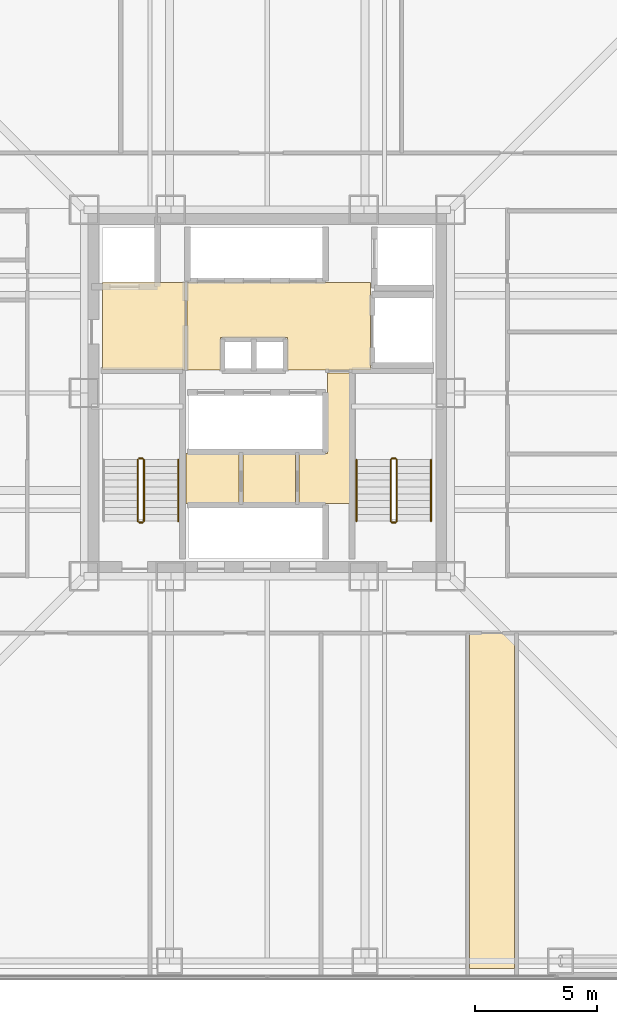
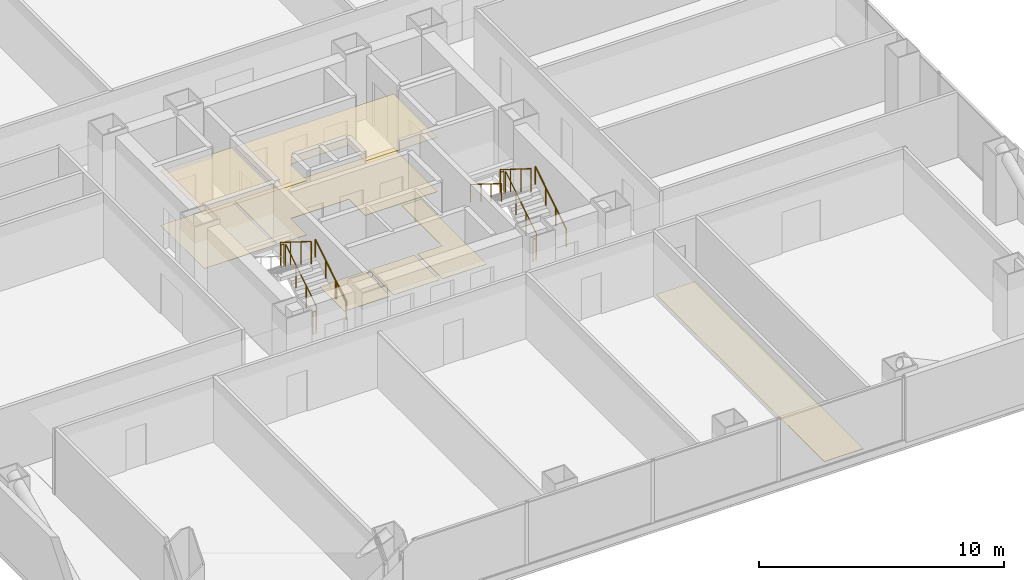
# One storey, part 14 of 15: 11 railings, 8 coverings.
"""IFC4 building model written with IfcOpenShell, lengths in metres."""

from ifc_helpers import new_model, si_unit, direction, frame, origin, origin_2d, place, context, subcontext, project, spatial, polyline, circle, outline, extrude, material, layer, layer_set, type_object, element, save


model = new_model("IFC4")

# Units and contexts
model_context = context("Model", 3, precision=1e-05, world=origin(), true_north=direction((0.0, 1.0)))
body_context = subcontext(model_context, "Body", "Model", "MODEL_VIEW")
ifc_project = project(units=[si_unit("LENGTHUNIT", "METRE"), si_unit("AREAUNIT", "SQUARE_METRE"), si_unit("VOLUMEUNIT", "CUBIC_METRE"), si_unit("PLANEANGLEUNIT", "RADIAN"), si_unit("MASSUNIT", "GRAM", prefix="KILO")], contexts=[model_context])

# Site, building, storey
site_placement = place(None, origin())
site = spatial("IfcSite", under=ifc_project, at=site_placement, CompositionType="ELEMENT")
building_placement = place(site_placement, origin())
building = spatial("IfcBuilding", under=site, at=building_placement, Name="Trevonay Congress Spire", CompositionType="ELEMENT")
storey_placement = place(building_placement, frame((0.0, 0.0, 44.5)))
storey = spatial("IfcBuildingStorey", under=building, at=storey_placement, Name="L10", CompositionType="ELEMENT", Elevation=44.5)

# Coverings
ifc_material_1 = material(Name="Acoustic Mineral Fibre Board", Category="gypsum")
ifc_layer_1 = layer(ifc_material_1, 0.02490234375, Name="Acoustic Mineral Fibre Board")
ifc_layer_set_1 = layer_set([ifc_layer_1], Name="Acoustic Mineral Fibre Board")
covering_type_1 = type_object("IfcCoveringType", Name="COV-CEIL-ACOUSTIC", PredefinedType="CEILING", material=ifc_layer_set_1)
covering_1_placement = place(storey_placement, frame((0.0, 0.0, 2.699951171875)))
element("IfcCovering", 1, at=covering_1_placement, inside=storey, type_object=covering_type_1, Name="L10 Firefighting Lift Lobby West acoustic suspended ceiling", PredefinedType="CEILING", context=body_context, shape_type="SweptSolid", body=[
    extrude(outline(polyline([(-6.75, 0.9599609375), (-3.3798828125, 0.9599609375), (-3.3798828125, 4.52001953125), (-6.75, 4.52001953125), (-6.75, 0.9599609375)])), origin(), (0.0, 0.0, 1.0), 0.025146484375),
])
covering_2_placement = place(storey_placement, frame((0.0, 0.0, 2.699951171875)))
element("IfcCovering", 2, at=covering_2_placement, inside=storey, type_object=covering_type_1, Name="L10 Central and High-Rise Passenger Lift Lobby acoustic suspended ceiling", PredefinedType="CEILING", context=body_context, shape_type="SweptSolid", body=[
    extrude(outline(polyline([(-3.280029296875, 0.949951171875), (-1.919921875, 0.949951171875), (-1.919921875, 2.280029296875), (0.820068359375, 2.280029296875), (0.820068359375, 0.949951171875), (4.219970703125, 0.949951171875), (4.219970703125, 4.52001953125), (-3.280029296875, 4.52001953125), (-3.280029296875, 0.949951171875)])), origin(), (0.0, 0.0, 1.0), 0.025146484375),
])
ifc_material_2 = material(Name="Polished Granite Floor Tile", Category="masonry")
ifc_layer_2 = layer(ifc_material_2, 0.02001953125, Name="Polished Granite Floor Tile")
ifc_layer_set_2 = layer_set([ifc_layer_2], Name="Polished Granite Floor Tile")
covering_type_2 = type_object("IfcCoveringType", Name="COV-FLOOR-STONE", PredefinedType="FLOORING", material=ifc_layer_set_2)
covering_3_placement = place(storey_placement, origin())
element("IfcCovering", 3, at=covering_3_placement, inside=storey, type_object=covering_type_2, Name="L10 Firefighting Lift Lobby West floor finish", PredefinedType="FLOORING", context=body_context, shape_type="SweptSolid", body=[
    extrude(outline(polyline([(-6.75, 0.9599609375), (-3.3798828125, 0.9599609375), (-3.3798828125, 4.52001953125), (-6.75, 4.52001953125), (-6.75, 0.9599609375)])), origin(), (0.0, 0.0, 1.0), 0.02001953125),
])
covering_4_placement = place(storey_placement, origin())
element("IfcCovering", 4, at=covering_4_placement, inside=storey, type_object=covering_type_2, Name="L10 Central and High-Rise Passenger Lift Lobby floor finish", PredefinedType="FLOORING", context=body_context, shape_type="SweptSolid", body=[
    extrude(outline(polyline([(-3.280029296875, 0.949951171875), (-1.919921875, 0.949951171875), (-1.919921875, 2.280029296875), (0.820068359375, 2.280029296875), (0.820068359375, 0.949951171875), (4.219970703125, 0.949951171875), (4.219970703125, 4.52001953125), (-3.280029296875, 4.52001953125), (-3.280029296875, 0.949951171875)])), origin(), (0.0, 0.0, 1.0), 0.02001953125),
])
covering_5_placement = place(storey_placement, origin())
element("IfcCovering", 5, at=covering_5_placement, inside=storey, type_object=covering_type_2, Name="L10 Floor IT Patch Room floor finish", PredefinedType="FLOORING", context=body_context, shape_type="SweptSolid", body=[
    extrude(outline(polyline([(-3.320068359375, -4.52001953125), (-1.14990234375, -4.52001953125), (-1.14990234375, -2.47998046875), (-3.320068359375, -2.47998046875), (-3.320068359375, -4.52001953125)])), origin(), (0.0, 0.0, 1.0), 0.02001953125),
])
covering_6_placement = place(storey_placement, origin())
element("IfcCovering", 6, at=covering_6_placement, inside=storey, type_object=covering_type_2, Name="L10 Janitor Store floor finish", PredefinedType="FLOORING", context=body_context, shape_type="SweptSolid", body=[
    extrude(outline(polyline([(-1.0, -4.52001953125), (1.14990234375, -4.52001953125), (1.14990234375, -2.47998046875), (-1.0, -2.47998046875), (-1.0, -4.52001953125)])), origin(), (0.0, 0.0, 1.0), 0.02001953125),
])
covering_7_placement = place(storey_placement, origin())
element("IfcCovering", 7, at=covering_7_placement, inside=storey, type_object=covering_type_2, Name="L10 Core Metering Room floor finish", PredefinedType="FLOORING", context=body_context, shape_type="SweptSolid", body=[
    extrude(outline(polyline([(1.300048828125, -4.52001953125), (3.3798828125, -4.52001953125), (3.3798828125, 0.820068359375), (2.4599609375, 0.820068359375), (2.4599609375, -2.47998046875), (1.300048828125, -2.47998046875), (1.300048828125, -4.52001953125)])), origin(), (0.0, 0.0, 1.0), 0.02001953125),
])
covering_8_placement = place(storey_placement, origin())
element("IfcCovering", 8, at=covering_8_placement, inside=storey, type_object=covering_type_2, Name="L10 Accessible WC floor finish", PredefinedType="FLOORING", context=body_context, shape_type="SweptSolid", body=[
    extrude(outline(polyline([(8.280029296875, -23.550048828125), (10.1201171875, -23.550048828125), (10.1201171875, -9.830078125), (8.280029296875, -9.830078125), (8.280029296875, -23.550048828125)])), origin(), (0.0, 0.0, 1.0), 0.02001953125),
])

# Railings
ifc_material_3 = material(Name="Pale Anodised Aluminium EN AW-6063-T6", Category="aluminium")
railing_type_1 = type_object("IfcRailingType", Name="RAL-STAIR-GUARD-110", PredefinedType="GUARDRAIL", material=ifc_material_3)
railing_1_placement = place(storey_placement, frame((-5.050048828125, -5.25, 0.175048828125)))
element("IfcRailing", 9, at=railing_1_placement, inside=storey, type_object=railing_type_1, Name="L10 ST-1 stair guard 1", PredefinedType="GUARDRAIL", context=body_context, shape_type="SweptSolid", body=[
    extrude(circle(Radius=0.02392578125, at=origin_2d()), frame((0.0, 0.0, 1.1259765625), z_axis=(0.0, 0.848007534815, 0.529984170421), x_axis=(-1.0, 0.0, 0.0)), (0.0, 0.0, 1.0), 2.9716796875),
    extrude(circle(Radius=0.02099609375, at=origin_2d()), origin(), (0.0, 0.0, 1.0), 1.101806640625),
    extrude(circle(Radius=0.02099609375, at=origin_2d()), frame((0.0, 0.840087890625, 0.52490234375)), (0.0, 0.0, 1.0), 1.101806640625),
    extrude(circle(Radius=0.02099609375, at=origin_2d()), frame((0.0, 1.679931640625, 1.050048828125)), (0.0, 0.0, 1.0), 1.101806640625),
    extrude(circle(Radius=0.02099609375, at=origin_2d()), frame((0.0, 2.52001953125, 1.574951171875)), (0.0, 0.0, 1.0), 1.101806640625),
])
railing_2_placement = place(storey_placement, frame((-5.10009765625, -2.679931640625, 1.75)))
element("IfcRailing", 10, at=railing_2_placement, inside=storey, type_object=railing_type_1, Name="L10 ST-1 stair guard 2", PredefinedType="GUARDRAIL", context=body_context, shape_type="SweptSolid", body=[
    extrude(circle(Radius=0.02392578125, at=origin_2d()), frame((0.0, 0.0, 1.1259765625), z_axis=(-1.0, 0.0, 0.0), x_axis=(0.0, -1.0, 0.0)), (0.0, 0.0, 1.0), 0.14990234375),
    extrude(circle(Radius=0.02099609375, at=origin_2d()), origin(), (0.0, 0.0, 1.0), 1.101806640625),
    extrude(circle(Radius=0.02099609375, at=origin_2d()), frame((-0.14990234375, 0.0, 0.0)), (0.0, 0.0, 1.0), 1.101806640625),
])
railing_3_placement = place(storey_placement, frame((-5.300048828125, -2.72998046875, 1.925048828125)))
element("IfcRailing", 11, at=railing_3_placement, inside=storey, type_object=railing_type_1, Name="L10 ST-1 stair guard 3", PredefinedType="GUARDRAIL", context=body_context, shape_type="SweptSolid", body=[
    extrude(circle(Radius=0.02392578125, at=origin_2d()), frame((0.0, 0.0, 1.1259765625), z_axis=(0.0, -0.848007534815, 0.529984170421), x_axis=(1.0, 0.0, 0.0)), (0.0, 0.0, 1.0), 2.9716796875),
    extrude(circle(Radius=0.02099609375, at=origin_2d()), origin(), (0.0, 0.0, 1.0), 1.101806640625),
    extrude(circle(Radius=0.02099609375, at=origin_2d()), frame((0.0, -0.840087890625, 0.52490234375)), (0.0, 0.0, 1.0), 1.101806640625),
    extrude(circle(Radius=0.02099609375, at=origin_2d()), frame((0.0, -1.679931640625, 1.050048828125)), (0.0, 0.0, 1.0), 1.101806640625),
    extrude(circle(Radius=0.02099609375, at=origin_2d()), frame((0.0, -2.52001953125, 1.574951171875)), (0.0, 0.0, 1.0), 1.101806640625),
])
railing_4_placement = place(storey_placement, frame((-5.10009765625, -5.300048828125, 0.0)))
element("IfcRailing", 12, at=railing_4_placement, inside=storey, type_object=railing_type_1, Name="L10 ST-1 stair guard 4", PredefinedType="GUARDRAIL", context=body_context, shape_type="SweptSolid", body=[
    extrude(circle(Radius=0.02392578125, at=origin_2d()), frame((0.0, 0.0, 1.1259765625), z_axis=(-1.0, 0.0, 0.0), x_axis=(0.0, -1.0, 0.0)), (0.0, 0.0, 1.0), 0.14990234375),
    extrude(circle(Radius=0.02099609375, at=origin_2d()), origin(), (0.0, 0.0, 1.0), 1.101806640625),
    extrude(circle(Radius=0.02099609375, at=origin_2d()), frame((-0.14990234375, 0.0, 0.0)), (0.0, 0.0, 1.0), 1.101806640625),
])
railing_5_placement = place(storey_placement, frame((5.300048828125, -5.25, 0.175048828125)))
element("IfcRailing", 13, at=railing_5_placement, inside=storey, type_object=railing_type_1, Name="L10 ST-2 stair guard 1", PredefinedType="GUARDRAIL", context=body_context, shape_type="SweptSolid", body=[
    extrude(circle(Radius=0.02392578125, at=origin_2d()), frame((0.0, 0.0, 1.1259765625), z_axis=(0.0, 0.848007534815, 0.529984170421), x_axis=(-1.0, 0.0, 0.0)), (0.0, 0.0, 1.0), 2.9716796875),
    extrude(circle(Radius=0.02099609375, at=origin_2d()), origin(), (0.0, 0.0, 1.0), 1.101806640625),
    extrude(circle(Radius=0.02099609375, at=origin_2d()), frame((0.0, 0.840087890625, 0.52490234375)), (0.0, 0.0, 1.0), 1.101806640625),
    extrude(circle(Radius=0.02099609375, at=origin_2d()), frame((0.0, 1.679931640625, 1.050048828125)), (0.0, 0.0, 1.0), 1.101806640625),
    extrude(circle(Radius=0.02099609375, at=origin_2d()), frame((0.0, 2.52001953125, 1.574951171875)), (0.0, 0.0, 1.0), 1.101806640625),
])
railing_6_placement = place(storey_placement, frame((5.25, -2.679931640625, 1.75)))
element("IfcRailing", 14, at=railing_6_placement, inside=storey, type_object=railing_type_1, Name="L10 ST-2 stair guard 2", PredefinedType="GUARDRAIL", context=body_context, shape_type="SweptSolid", body=[
    extrude(circle(Radius=0.02392578125, at=origin_2d()), frame((0.0, 0.0, 1.1259765625), z_axis=(-1.0, 0.0, 0.0), x_axis=(0.0, -1.0, 0.0)), (0.0, 0.0, 1.0), 0.14990234375),
    extrude(circle(Radius=0.02099609375, at=origin_2d()), origin(), (0.0, 0.0, 1.0), 1.101806640625),
    extrude(circle(Radius=0.02099609375, at=origin_2d()), frame((-0.14990234375, 0.0, 0.0)), (0.0, 0.0, 1.0), 1.101806640625),
])
railing_7_placement = place(storey_placement, frame((5.050048828125, -2.72998046875, 1.925048828125)))
element("IfcRailing", 15, at=railing_7_placement, inside=storey, type_object=railing_type_1, Name="L10 ST-2 stair guard 3", PredefinedType="GUARDRAIL", context=body_context, shape_type="SweptSolid", body=[
    extrude(circle(Radius=0.02392578125, at=origin_2d()), frame((0.0, 0.0, 1.1259765625), z_axis=(0.0, -0.848007534815, 0.529984170421), x_axis=(1.0, 0.0, 0.0)), (0.0, 0.0, 1.0), 2.9716796875),
    extrude(circle(Radius=0.02099609375, at=origin_2d()), origin(), (0.0, 0.0, 1.0), 1.101806640625),
    extrude(circle(Radius=0.02099609375, at=origin_2d()), frame((0.0, -0.840087890625, 0.52490234375)), (0.0, 0.0, 1.0), 1.101806640625),
    extrude(circle(Radius=0.02099609375, at=origin_2d()), frame((0.0, -1.679931640625, 1.050048828125)), (0.0, 0.0, 1.0), 1.101806640625),
    extrude(circle(Radius=0.02099609375, at=origin_2d()), frame((0.0, -2.52001953125, 1.574951171875)), (0.0, 0.0, 1.0), 1.101806640625),
])
railing_8_placement = place(storey_placement, frame((5.25, -5.300048828125, 0.0)))
element("IfcRailing", 16, at=railing_8_placement, inside=storey, type_object=railing_type_1, Name="L10 ST-2 stair guard 4", PredefinedType="GUARDRAIL", context=body_context, shape_type="SweptSolid", body=[
    extrude(circle(Radius=0.02392578125, at=origin_2d()), frame((0.0, 0.0, 1.1259765625), z_axis=(-1.0, 0.0, 0.0), x_axis=(0.0, -1.0, 0.0)), (0.0, 0.0, 1.0), 0.14990234375),
    extrude(circle(Radius=0.02099609375, at=origin_2d()), origin(), (0.0, 0.0, 1.0), 1.101806640625),
    extrude(circle(Radius=0.02099609375, at=origin_2d()), frame((-0.14990234375, 0.0, 0.0)), (0.0, 0.0, 1.0), 1.101806640625),
])
railing_type_2 = type_object("IfcRailingType", Name="RAL-STAIR-HANDRAIL", PredefinedType="HANDRAIL", material=ifc_material_3)
for number, where, name in (
    (17, (-3.64990234375, -5.25, 0.175048828125), "L10 ST-1 stair handrail 1"),
    (18, (6.699951171875, -5.25, 0.175048828125), "L10 ST-2 stair handrail 1"),
):
    element("IfcRailing", number, at=place(storey_placement, frame(where)), inside=storey, type_object=railing_type_2, Name=name, PredefinedType="HANDRAIL", context=body_context, shape_type="SweptSolid", body=[
        extrude(circle(Radius=0.02392578125, at=origin_2d()), frame((0.0, 0.0, 0.8759765625), z_axis=(0.0, 0.848007534815, 0.529984170421), x_axis=(-1.0, 0.0, 0.0)), (0.0, 0.0, 1.0), 2.9716796875),
        extrude(circle(Radius=0.02099609375, at=origin_2d()), origin(), (0.0, 0.0, 1.0), 0.851806640625),
        extrude(circle(Radius=0.02099609375, at=origin_2d()), frame((0.0, 0.840087890625, 0.52490234375)), (0.0, 0.0, 1.0), 0.851806640625),
        extrude(circle(Radius=0.02099609375, at=origin_2d()), frame((0.0, 1.679931640625, 1.050048828125)), (0.0, 0.0, 1.0), 0.851806640625),
        extrude(circle(Radius=0.02099609375, at=origin_2d()), frame((0.0, 2.52001953125, 1.574951171875)), (0.0, 0.0, 1.0), 0.851806640625),
    ])
railing_9_placement = place(storey_placement, frame((3.64990234375, -2.72998046875, 1.925048828125)))
element("IfcRailing", 19, at=railing_9_placement, inside=storey, type_object=railing_type_2, Name="L10 ST-2 stair handrail 2", PredefinedType="HANDRAIL", context=body_context, shape_type="SweptSolid", body=[
    extrude(circle(Radius=0.02392578125, at=origin_2d()), frame((0.0, 0.0, 0.8759765625), z_axis=(0.0, -0.848007534815, 0.529984170421), x_axis=(1.0, 0.0, 0.0)), (0.0, 0.0, 1.0), 2.9716796875),
    extrude(circle(Radius=0.02099609375, at=origin_2d()), origin(), (0.0, 0.0, 1.0), 0.851806640625),
    extrude(circle(Radius=0.02099609375, at=origin_2d()), frame((0.0, -0.840087890625, 0.52490234375)), (0.0, 0.0, 1.0), 0.851806640625),
    extrude(circle(Radius=0.02099609375, at=origin_2d()), frame((0.0, -1.679931640625, 1.050048828125)), (0.0, 0.0, 1.0), 0.851806640625),
    extrude(circle(Radius=0.02099609375, at=origin_2d()), frame((0.0, -2.52001953125, 1.574951171875)), (0.0, 0.0, 1.0), 0.851806640625),
])

save(model, "model.ifc")
